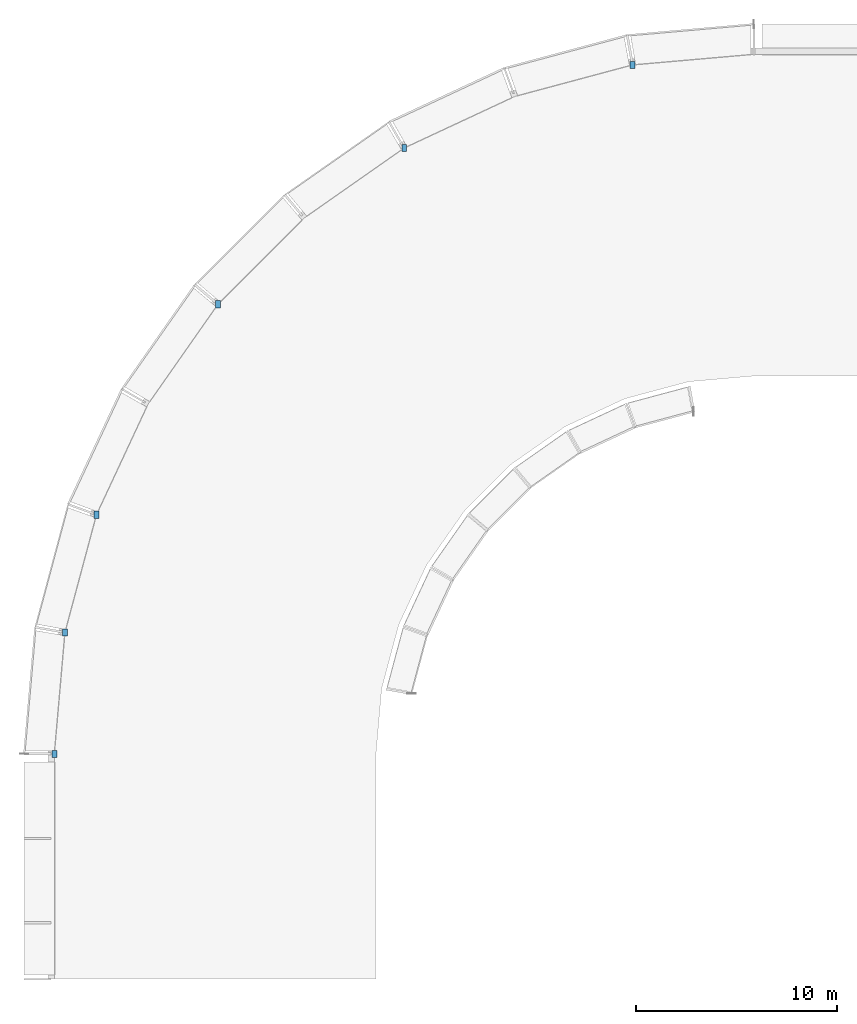
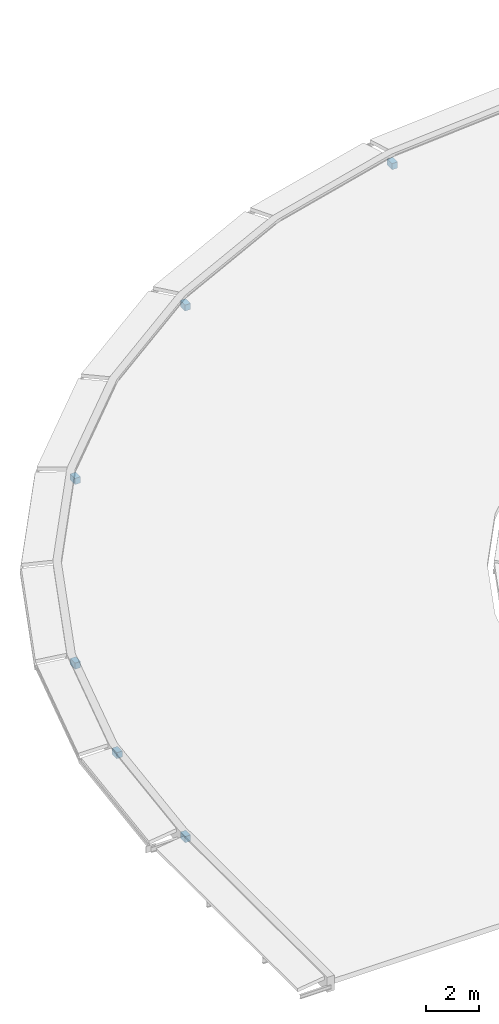
# One storey, part 5 of 6: 6 discrete accessories.
"""IFC4 building model written with IfcOpenShell, lengths in metres."""

from ifc_helpers import new_model, si_unit, direction, frame, origin, origin_2d, place, context, subcontext, project, spatial, rectangle, extrude, material, type_object, element, save


model = new_model("IFC4")

# Units and contexts
model_context = context("Model", 3, precision=1e-05, world=origin(), true_north=direction((0.0, 1.0)))
body_context = subcontext(model_context, "Body", "Model", "MODEL_VIEW")
ifc_project = project(units=[si_unit("LENGTHUNIT", "METRE"), si_unit("AREAUNIT", "SQUARE_METRE"), si_unit("VOLUMEUNIT", "CUBIC_METRE"), si_unit("PLANEANGLEUNIT", "RADIAN"), si_unit("MASSUNIT", "GRAM", prefix="KILO")], contexts=[model_context])

# Site, building, storey
site_placement = place(None, origin())
site = spatial("IfcSite", under=ifc_project, at=site_placement, CompositionType="ELEMENT")
building_placement = place(site_placement, origin())
building = spatial("IfcBuilding", under=site, at=building_placement, Name="Kiranvali Square Residences", CompositionType="ELEMENT")
storey_placement = place(building_placement, frame((0.0, 0.0, 52.800048828125)))
storey = spatial("IfcBuildingStorey", under=building, at=storey_placement, Name="ROOF", CompositionType="ELEMENT", Elevation=52.800048828125)

# Discrete accessories
ifc_material = material(Name="Structural steel E350", Category="steel")
discrete_accessory_type = type_object("IfcDiscreteAccessoryType", Name="ACC-BRACKET-EAVE", PredefinedType="BRACKET", material=ifc_material)
for number, where, z_axis, x_axis, name in (
    (1, (42.156982421875, 122.0712890625, -0.43994140625), (0.0, 0.0, 1.0), (1.0, 0.0, 0.0), "Block A Ottoman eave steel bracket 1"),
    (2, (30.800048828125, 117.937744140625, -0.43994140625), (0.0, 0.0, 1.0), (1.0, 0.0, 0.0), "Block A Ottoman eave steel bracket 3"),
    (3, (21.541748046875, 110.1689453125, -0.43994140625), (0.0, 0.0, 1.0), (1.0, 0.0, 0.0), "Block A Ottoman eave steel bracket 5"),
    (4, (15.498779296875, 99.702392578125, -0.43994140625), (0.0, 0.0, 1.0), (1.0, 0.0, 0.0), "Block A Ottoman eave steel bracket 7"),
    (5, (13.9287109375, 93.843017578125, -0.43994140625), (0.0, 0.0, 1.0), (1.0, 0.0, 0.0), "Block A Ottoman eave steel bracket 8"),
    (6, (13.39990234375, 87.800048828125, -0.43994140625), (0.0, 0.0, 1.0), (1.0, 0.0, 0.0), "Block A Ottoman eave steel bracket 9"),
):
    element("IfcDiscreteAccessory", number, at=place(storey_placement, frame(where, z_axis=z_axis, x_axis=x_axis)), inside=storey, type_object=discrete_accessory_type, Name=name, PredefinedType="BRACKET", context=body_context, shape_type="SweptSolid", body=[
        extrude(rectangle(XDim=0.239990234375, YDim=0.360107421875, at=origin_2d()), origin(), (0.0, 0.0, 1.0), 0.280029296875),
    ])

save(model, "model.ifc")
